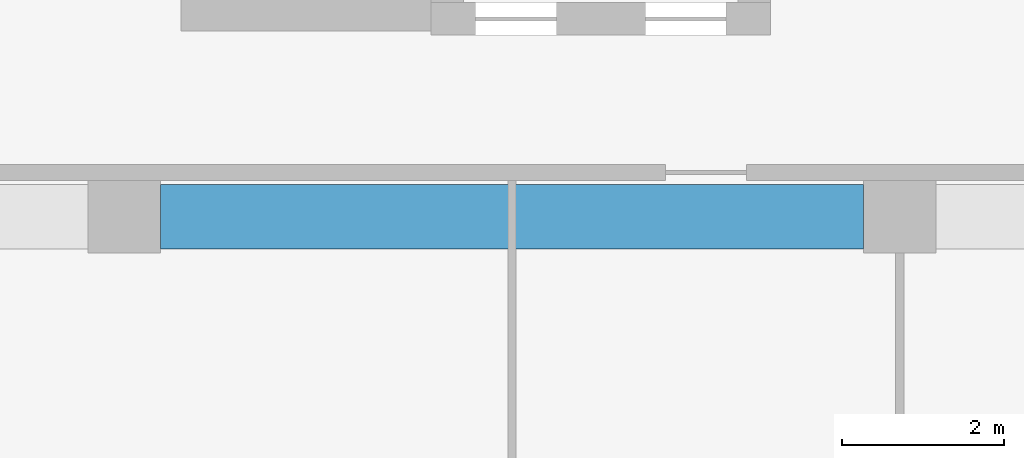
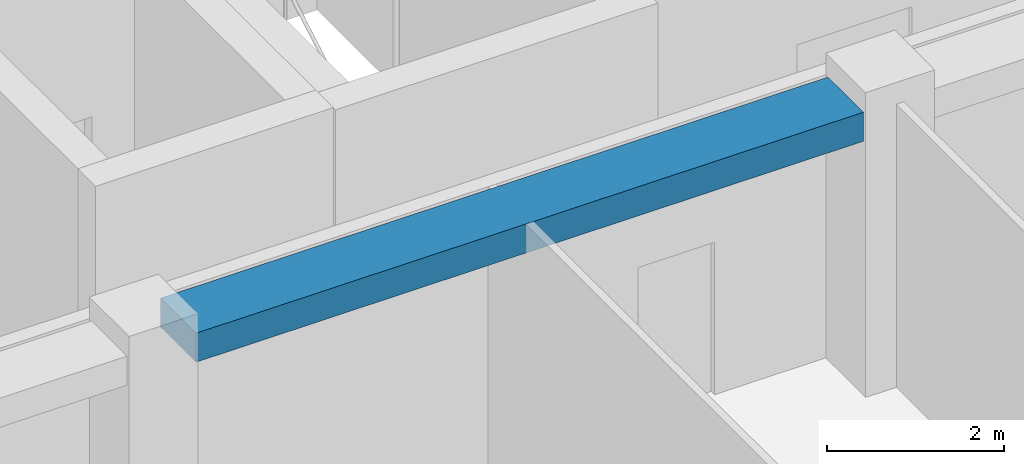
# One storey, part 5 of 36: 1 beam.
"""IFC4 building model written with IfcOpenShell, lengths in metres."""

from ifc_helpers import new_model, si_unit, direction, frame, origin, origin_2d, place, context, subcontext, project, spatial, rectangle, extrude, material, material_profile, profile_set, type_object, element, save


model = new_model("IFC4")

# Units and contexts
model_context = context("Model", 3, precision=1e-05, world=origin(), true_north=direction((0.0, 1.0)))
body_context = subcontext(model_context, "Body", "Model", "MODEL_VIEW")
ifc_project = project(units=[si_unit("LENGTHUNIT", "METRE"), si_unit("AREAUNIT", "SQUARE_METRE"), si_unit("VOLUMEUNIT", "CUBIC_METRE"), si_unit("PLANEANGLEUNIT", "RADIAN"), si_unit("MASSUNIT", "GRAM", prefix="KILO")], contexts=[model_context])

# Site, building, storey
site_placement = place(None, origin())
site = spatial("IfcSite", under=ifc_project, at=site_placement, CompositionType="ELEMENT")
building_placement = place(site_placement, origin())
building = spatial("IfcBuilding", under=site, at=building_placement, Name="Nzadi Deep Aquarium and Research Tower", CompositionType="ELEMENT")
storey_placement = place(building_placement, frame((0.0, 0.0, 44.5)))
storey = spatial("IfcBuildingStorey", under=building, at=storey_placement, Name="L08", CompositionType="ELEMENT", Elevation=44.5)

# Beam
ifc_material = material(Name="Concrete C35/45", Category="concrete")
ifc_material_profile = material_profile(ifc_material, rectangle(XDim=0.800048828125, YDim=0.39990234375, at=origin_2d()))
ifc_profile_set = profile_set([ifc_material_profile], Name="Concrete C35/45")
beam_type = type_object("IfcBeamType", Name="RC 800x400", PredefinedType="BEAM", material=ifc_profile_set)
beam_placement = place(storey_placement, frame((19.64990234375, 9.199951171875, 3.699951171875), z_axis=(1.0, 0.0, 0.0), x_axis=(0.0, 1.0, 0.0)))
element("IfcBeam", 1, at=beam_placement, inside=storey, type_object=beam_type, Name="B-Z1-L08-L2-3", PredefinedType="BEAM", context=body_context, shape_type="SweptSolid", body=[
    extrude(rectangle(XDim=0.800048828125, YDim=0.39990234375, at=origin_2d()), origin(), (0.0, 0.0, 1.0), 8.7001953125),
])

save(model, "model.ifc")
